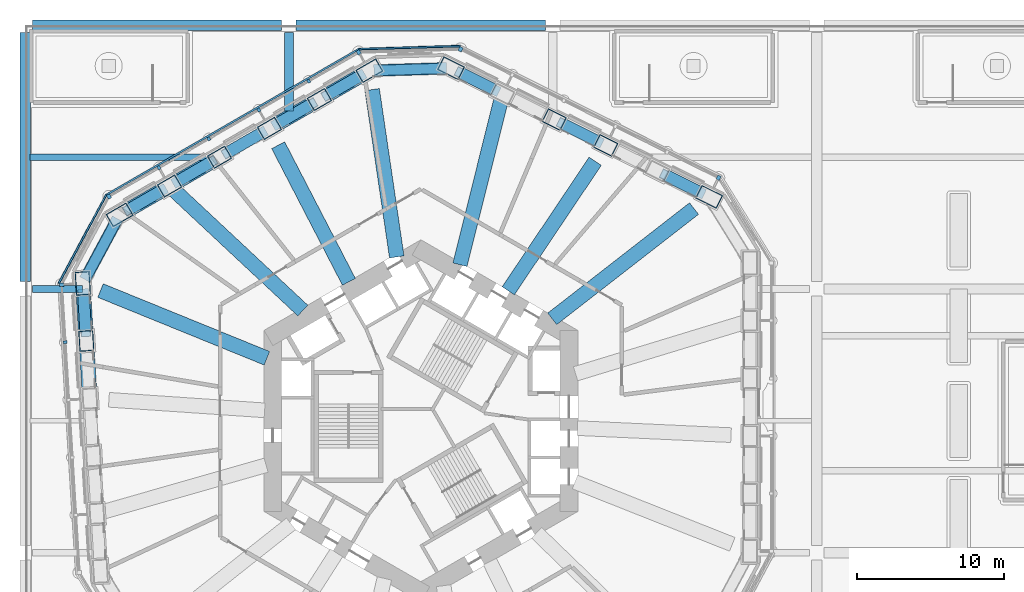
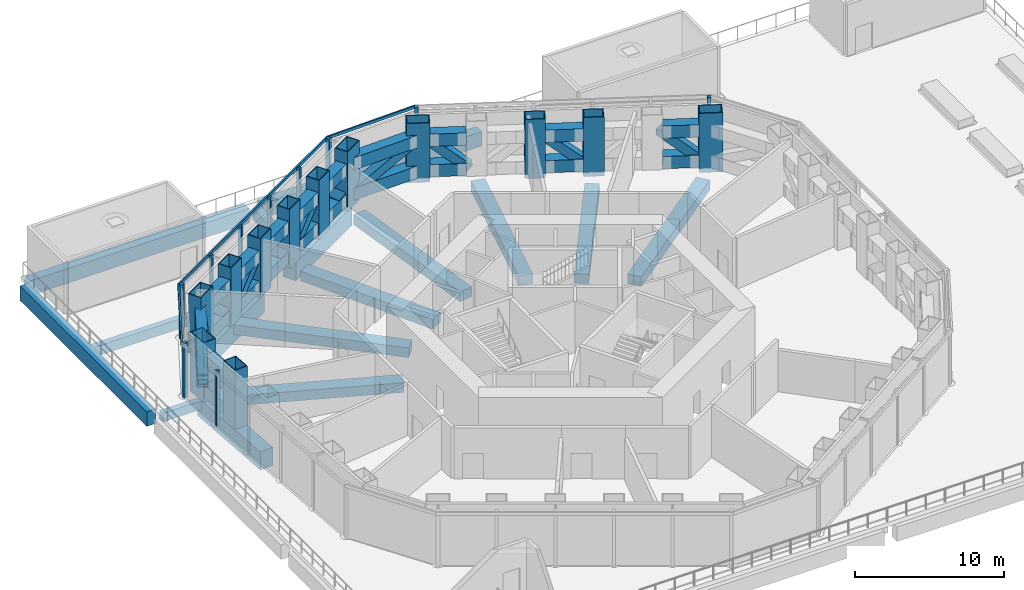
# One storey, part 3 of 20: 58 members, 16 beams, 5 elements without a shape of their own.
"""IFC4 building model written with IfcOpenShell, lengths in metres."""

from ifc_helpers import new_model, si_unit, direction, frame, origin, origin_2d, place, context, subcontext, project, spatial, rectangle, hollow_rectangle, extrude, material, material_profile, profile_set, type_object, element, aggregate, save


model = new_model("IFC4")

# Units and contexts
model_context = context("Model", 3, precision=1e-05, world=origin(), true_north=direction((0.0, 1.0)))
body_context = subcontext(model_context, "Body", "Model", "MODEL_VIEW")
ifc_project = project(units=[si_unit("LENGTHUNIT", "METRE"), si_unit("AREAUNIT", "SQUARE_METRE"), si_unit("VOLUMEUNIT", "CUBIC_METRE"), si_unit("PLANEANGLEUNIT", "RADIAN"), si_unit("MASSUNIT", "GRAM", prefix="KILO")], contexts=[model_context])

# Site, building, storey
site_placement = place(None, origin())
site = spatial("IfcSite", under=ifc_project, at=site_placement, CompositionType="ELEMENT")
building_placement = place(site_placement, origin())
building = spatial("IfcBuilding", under=site, at=building_placement, Name="Vanh Sen Convention Tower", CompositionType="ELEMENT")
storey_placement = place(building_placement, frame((0.0, 0.0, 34.5)))
storey = spatial("IfcBuildingStorey", under=building, at=storey_placement, Name="L05", CompositionType="ELEMENT", Elevation=34.5)

# Curtain wall, members
ifc_material_1 = material(Name="Concrete C50/60", Category="concrete")
curtain_wall_type = type_object("IfcCurtainWallType", Name="Outer skin hotel zone", PredefinedType="NOTDEFINED", material=ifc_material_1)
curtain_wall_1_placement = place(storey_placement, origin())
curtain_wall_1 = element("IfcCurtainWall", 1, at=curtain_wall_1_placement, inside=storey, type_object=curtain_wall_type, Name="OUTER SKIN NE L05", PredefinedType="NOTDEFINED")
ifc_material_profile_1 = material_profile(ifc_material_1, rectangle(XDim=0.25, YDim=0.300048828125, at=origin_2d()), Name="Outer skin precast corner fin 250 x 300")
ifc_profile_set_1 = profile_set([ifc_material_profile_1], Name="Concrete C50/60")
member_type_1 = type_object("IfcMemberType", Name="Outer skin precast corner fin 250 x 300", PredefinedType="MULLION", material=ifc_profile_set_1)
member_1_placement = place(storey_placement, frame((20.305908203125, 16.581787109375, 0.0), z_axis=(0.0, 0.0, 1.0), x_axis=(-0.894934361602, 0.44619781311, 0.0)))
member_1 = element("IfcMember", 2, at=member_1_placement, type_object=member_type_1, Name="OUTER SKIN CORNER FIN 1 NE L05", PredefinedType="MULLION", context=body_context, shape_type="SweptSolid", body=[
    extrude(rectangle(XDim=0.25, YDim=0.300048828125, at=origin_2d()), origin(), (0.0, 0.0, 1.0), 4.5),
])
member_2_placement = place(storey_placement, frame((2.699951171875, 25.35986328125, 0.0), z_axis=(0.0, 0.0, 1.0), x_axis=(-0.894934361602, 0.44619781311, 0.0)))
member_2 = element("IfcMember", 3, at=member_2_placement, type_object=member_type_1, Name="OUTER SKIN CORNER FIN 6 NE L05", PredefinedType="MULLION", context=body_context, shape_type="SweptSolid", body=[
    extrude(rectangle(XDim=0.25, YDim=0.300048828125, at=origin_2d()), origin(), (0.0, 0.0, 1.0), 4.5),
])
aggregate(curtain_wall_1, [member_1, member_2])

curtain_wall_2_placement = place(storey_placement, origin())
curtain_wall_2 = element("IfcCurtainWall", 4, at=curtain_wall_2_placement, inside=storey, type_object=curtain_wall_type, Name="OUTER SKIN NW L05", PredefinedType="NOTDEFINED")
member_3_placement = place(storey_placement, frame((-4.242919921875, 25.147705078125, 0.0), z_axis=(0.0, 0.0, 1.0), x_axis=(-0.866025403784, -0.5, 0.0)))
member_3 = element("IfcMember", 5, at=member_3_placement, type_object=member_type_1, Name="OUTER SKIN CORNER FIN 1 NW L05", PredefinedType="MULLION", context=body_context, shape_type="SweptSolid", body=[
    extrude(rectangle(XDim=0.25, YDim=0.300048828125, at=origin_2d()), origin(), (0.0, 0.0, 1.0), 4.5),
])
member_4_placement = place(storey_placement, frame((-21.2802734375, 15.31103515625, 0.0), z_axis=(0.0, 0.0, 1.0), x_axis=(-0.866025403784, -0.5, 0.0)))
member_4 = element("IfcMember", 6, at=member_4_placement, type_object=member_type_1, Name="OUTER SKIN CORNER FIN 6 NW L05", PredefinedType="MULLION", context=body_context, shape_type="SweptSolid", body=[
    extrude(rectangle(XDim=0.25, YDim=0.300048828125, at=origin_2d()), origin(), (0.0, 0.0, 1.0), 4.5),
])

# Curtain wall, member
curtain_wall_3_placement = place(storey_placement, origin())
curtain_wall_3 = element("IfcCurtainWall", 7, at=curtain_wall_3_placement, inside=storey, type_object=curtain_wall_type, Name="OUTER SKIN W L05", PredefinedType="NOTDEFINED")
member_5_placement = place(storey_placement, frame((-24.51318359375, 9.294677734375, 0.0), z_axis=(0.0, 0.0, 1.0), x_axis=(0.061048539535, -0.998134798422, 0.0)))
member_5 = element("IfcMember", 8, at=member_5_placement, type_object=member_type_1, Name="OUTER SKIN CORNER FIN 1 W L05", PredefinedType="MULLION", context=body_context, shape_type="SweptSolid", body=[
    extrude(rectangle(XDim=0.25, YDim=0.300048828125, at=origin_2d()), origin(), (0.0, 0.0, 1.0), 4.5),
])

# Member
ifc_material_profile_2 = material_profile(ifc_material_1, rectangle(XDim=0.199951171875, YDim=0.25, at=origin_2d()), Name="Outer skin precast fin 200 x 250")
ifc_profile_set_2 = profile_set([ifc_material_profile_2], Name="Concrete C50/60")
member_type_2 = type_object("IfcMemberType", Name="Outer skin precast fin 200 x 250", PredefinedType="MULLION", material=ifc_profile_set_2)
member_6_placement = place(storey_placement, frame((-7.650390625, 23.180419921875, 0.0), z_axis=(0.0, 0.0, 1.0), x_axis=(-0.866025403784, -0.5, 0.0)))
member_6 = element("IfcMember", 9, at=member_6_placement, type_object=member_type_2, Name="OUTER SKIN fin 2 NW L05", PredefinedType="MULLION", context=body_context, shape_type="SweptSolid", body=[
    extrude(rectangle(XDim=0.199951171875, YDim=0.25, at=origin_2d()), origin(), (0.0, 0.0, 1.0), 4.5),
])

member_7_placement = place(storey_placement, frame((-11.057861328125, 21.212890625, 0.0), z_axis=(0.0, 0.0, 1.0), x_axis=(-0.866025403784, -0.5, 0.0)))
member_7 = element("IfcMember", 10, at=member_7_placement, type_object=member_type_2, Name="OUTER SKIN fin 3 NW L05", PredefinedType="MULLION", context=body_context, shape_type="SweptSolid", body=[
    extrude(rectangle(XDim=0.199951171875, YDim=0.25, at=origin_2d()), origin(), (0.0, 0.0, 1.0), 4.5),
])

member_8_placement = place(storey_placement, frame((-14.46533203125, 19.24560546875, 0.0), z_axis=(0.0, 0.0, 1.0), x_axis=(-0.866025403784, -0.5, 0.0)))
member_8 = element("IfcMember", 11, at=member_8_placement, type_object=member_type_2, Name="OUTER SKIN fin 4 NW L05", PredefinedType="MULLION", context=body_context, shape_type="SweptSolid", body=[
    extrude(rectangle(XDim=0.199951171875, YDim=0.25, at=origin_2d()), origin(), (0.0, 0.0, 1.0), 4.5),
])

member_9_placement = place(storey_placement, frame((-17.872802734375, 17.2783203125, 0.0), z_axis=(0.0, 0.0, 1.0), x_axis=(-0.866025403784, -0.5, 0.0)))
member_9 = element("IfcMember", 12, at=member_9_placement, type_object=member_type_2, Name="OUTER SKIN fin 5 NW L05", PredefinedType="MULLION", context=body_context, shape_type="SweptSolid", body=[
    extrude(rectangle(XDim=0.199951171875, YDim=0.25, at=origin_2d()), origin(), (0.0, 0.0, 1.0), 4.5),
])

member_10_placement = place(storey_placement, frame((-24.27294921875, 5.3671875, 0.0), z_axis=(0.0, 0.0, 1.0), x_axis=(0.061048539535, -0.998134798422, 0.0)))
member_10 = element("IfcMember", 13, at=member_10_placement, type_object=member_type_2, Name="OUTER SKIN fin 2 W L05", PredefinedType="MULLION", context=body_context, shape_type="SweptSolid", body=[
    extrude(rectangle(XDim=0.199951171875, YDim=0.25, at=origin_2d()), origin(), (0.0, 0.0, 1.0), 4.5),
])

aggregate(curtain_wall_3, [member_5, member_10])

# Curtain wall, member
curtain_wall_4_placement = place(storey_placement, origin())
curtain_wall_4 = element("IfcCurtainWall", 14, at=curtain_wall_4_placement, inside=storey, type_object=curtain_wall_type, Name="OUTER SKIN CH2 L05", PredefinedType="NOTDEFINED")
ifc_material_profile_3 = material_profile(ifc_material_1, rectangle(XDim=0.1201171875, YDim=0.25, at=origin_2d()), Name="Outer skin precast spandrel band 250 x 120")
ifc_profile_set_3 = profile_set([ifc_material_profile_3], Name="Concrete C50/60")
member_type_3 = type_object("IfcMemberType", Name="Outer skin precast spandrel band 250 x 120", PredefinedType="USERDEFINED", material=ifc_profile_set_3)
member_11_placement = place(storey_placement, frame((2.693603515625, 25.569580078125, 4.375), z_axis=(-0.999533472857, -0.030542374483, 0.0), x_axis=(0.030542374483, -0.999533472857, 0.0)))
member_11 = element("IfcMember", 15, at=member_11_placement, type_object=member_type_3, Name="OUTER SKIN spandrel band CH2 L05", ObjectType="TRANSOM", PredefinedType="USERDEFINED", context=body_context, shape_type="SweptSolid", body=[
    extrude(rectangle(XDim=0.1201171875, YDim=0.25, at=origin_2d()), origin(), (0.0, 0.0, 1.0), 6.9462890625),
])
aggregate(curtain_wall_4, [member_11])

# Member
member_12_placement = place(storey_placement, frame((-4.227294921875, 25.370361328125, 4.375), z_axis=(-0.866028047459, -0.499995420993, 0.0), x_axis=(0.499995420993, -0.866028047459, 0.0)))
member_12 = element("IfcMember", 16, at=member_12_placement, type_object=member_type_3, Name="OUTER SKIN spandrel band NW L05", ObjectType="TRANSOM", PredefinedType="USERDEFINED", context=body_context, shape_type="SweptSolid", body=[
    extrude(rectangle(XDim=0.1201171875, YDim=0.25, at=origin_2d()), origin(), (0.0, 0.0, 1.0), 19.923095703125),
])

aggregate(curtain_wall_2, [member_3, member_6, member_7, member_8, member_9, member_4, member_12])

# Curtain wall, member
curtain_wall_5_placement = place(storey_placement, origin())
curtain_wall_5 = element("IfcCurtainWall", 17, at=curtain_wall_5_placement, inside=storey, type_object=curtain_wall_type, Name="OUTER SKIN CH3 L05", PredefinedType="NOTDEFINED")
member_13_placement = place(storey_placement, frame((-21.46533203125, 15.410400390625, 4.375), z_axis=(-0.473315186561, -0.880893145717, 0.0), x_axis=(0.880893145717, -0.473315186561, 0.0)))
member_13 = element("IfcMember", 18, at=member_13_placement, type_object=member_type_3, Name="OUTER SKIN spandrel band CH3 L05", ObjectType="TRANSOM", PredefinedType="USERDEFINED", context=body_context, shape_type="SweptSolid", body=[
    extrude(rectangle(XDim=0.1201171875, YDim=0.25, at=origin_2d()), origin(), (0.0, 0.0, 1.0), 6.829833984375),
])
aggregate(curtain_wall_5, [member_13])

# Beams
ifc_material_2 = material(Name="Concrete C50/60", Category="concrete")
ifc_material_profile_4 = material_profile(ifc_material_2, rectangle(XDim=0.449951171875, YDim=0.699951171875, at=origin_2d()), Name="RC 450X700")
ifc_profile_set_4 = profile_set([ifc_material_profile_4], Name="Concrete C50/60")
beam_type_1 = type_object("IfcBeamType", Name="Podium girder 450 x 700", PredefinedType="BEAM", material=ifc_profile_set_4)
beam_1_placement = place(storey_placement, frame((-26.5048828125, 9.0, -0.699951171875), z_axis=(1.0, 0.0, 0.0), x_axis=(0.0, 1.0, 0.0)))
element("IfcBeam", 19, at=beam_1_placement, inside=storey, type_object=beam_type_1, Name="Podium girder 21 L05", PredefinedType="BEAM", context=body_context, shape_type="SweptSolid", body=[
    extrude(rectangle(XDim=0.449951171875, YDim=0.699951171875, at=origin_2d()), origin(), (0.0, 0.0, 1.0), 3.416748046875),
])
ifc_material_profile_5 = material_profile(ifc_material_2, rectangle(XDim=0.60009765625, YDim=0.89990234375, at=origin_2d()), Name="RC 600X900")
ifc_profile_set_5 = profile_set([ifc_material_profile_5], Name="Concrete C50/60")
beam_type_2 = type_object("IfcBeamType", Name="Podium girder 600 x 900", PredefinedType="BEAM", material=ifc_profile_set_5)
beam_2_placement = place(storey_placement, frame((-9.0, 21.1259765625, -0.800048828125), z_axis=(0.0, 1.0, 0.0), x_axis=(-1.0, 0.0, 0.0)))
element("IfcBeam", 20, at=beam_2_placement, inside=storey, type_object=beam_type_2, Name="Podium girder 05 L05", PredefinedType="BEAM", context=body_context, shape_type="SweptSolid", body=[
    extrude(rectangle(XDim=0.60009765625, YDim=0.89990234375, at=origin_2d()), origin(), (0.0, 0.0, 1.0), 5.37890625),
])
ifc_material_profile_6 = material_profile(ifc_material_2, rectangle(XDim=0.699951171875, YDim=1.199951171875, at=origin_2d()), Name="RC 700X1200")
ifc_profile_set_6 = profile_set([ifc_material_profile_6], Name="Concrete C50/60")
beam_type_3 = type_object("IfcBeamType", Name="Podium girder 700 x 1200", PredefinedType="BEAM", material=ifc_profile_set_6)
for number, where, z_axis, x_axis, name in (
    (21, (-27.0, 9.4951171875, -0.949951171875), (0.0, 1.0, 0.0), (-1.0, 0.0, 0.0), "Podium girder 03 L05"),
    (22, (-26.5048828125, 27.0, -0.949951171875), (1.0, 0.0, 0.0), (0.0, 1.0, 0.0), "Podium girder 24 L05"),
    (23, (-8.5048828125, 27.0, -0.949951171875), (1.0, 0.0, 0.0), (0.0, 1.0, 0.0), "Podium girder 25 L05"),
):
    element("IfcBeam", number, at=place(storey_placement, frame(where, z_axis=z_axis, x_axis=x_axis)), inside=storey, type_object=beam_type_3, Name=name, PredefinedType="BEAM", context=body_context, shape_type="SweptSolid", body=[
        extrude(rectangle(XDim=0.699951171875, YDim=1.199951171875, at=origin_2d()), origin(), (0.0, 0.0, 1.0), 17.009765625),
    ])
ifc_material_profile_7 = material_profile(ifc_material_2, rectangle(XDim=1.0, YDim=1.5, at=origin_2d()), Name="RC 1000X1500")
ifc_profile_set_7 = profile_set([ifc_material_profile_7], Name="Concrete C50/60")
beam_type_4 = type_object("IfcBeamType", Name="Podium ring girder 1000 x 1500", PredefinedType="BEAM", material=ifc_profile_set_7)
beam_3_placement = place(storey_placement, frame((-3.723388671875, 23.7734375, -1.10009765625), z_axis=(-0.866012220445, -0.500022833518, 0.0), x_axis=(0.500022833518, -0.866012220445, 0.0)))
element("IfcBeam", 24, at=beam_3_placement, inside=storey, type_object=beam_type_4, Name="Ring girder 04 L05", PredefinedType="BEAM", context=body_context, shape_type="SweptSolid", body=[
    extrude(rectangle(XDim=1.0, YDim=1.5, at=origin_2d()), origin(), (0.0, 0.0, 1.0), 7.504638671875),
])
for number, where, z_axis, x_axis, name in (
    (25, (-13.85107421875, 17.926025390625, -1.10009765625), (-0.866026077102, -0.499998833779, 0.0), (0.499998833779, -0.866026077102, 0.0), "Ring girder 05 L05"),
    (26, (-23.06005859375, 9.288330078125, -1.10009765625), (0.061046445508, -0.998134926496, 0.0), (0.998134926496, 0.061046445508, 0.0), "Ring girder 06 L05"),
):
    element("IfcBeam", number, at=place(storey_placement, frame(where, z_axis=z_axis, x_axis=x_axis)), inside=storey, type_object=beam_type_4, Name=name, PredefinedType="BEAM", context=body_context, shape_type="SweptSolid", body=[
        extrude(rectangle(XDim=1.0, YDim=1.5, at=origin_2d()), origin(), (0.0, 0.0, 1.0), 7.646484375),
    ])
ifc_material_profile_8 = material_profile(ifc_material_2, rectangle(XDim=0.449951171875, YDim=0.800048828125, at=origin_2d()), Name="RC 450X800")
ifc_profile_set_8 = profile_set([ifc_material_profile_8], Name="Concrete C50/60")
beam_type_5 = type_object("IfcBeamType", Name="Podium secondary beam 450 x 800", PredefinedType="BEAM", material=ifc_profile_set_8)
beam_4_placement = place(storey_placement, frame((-26.655029296875, 18.0, -0.75), z_axis=(1.0, 0.0, 0.0), x_axis=(0.0, 1.0, 0.0)))
element("IfcBeam", 27, at=beam_4_placement, inside=storey, type_object=beam_type_5, Name="Podium secondary beam 08 L05", PredefinedType="BEAM", context=body_context, shape_type="SweptSolid", body=[
    extrude(rectangle(XDim=0.449951171875, YDim=0.800048828125, at=origin_2d()), origin(), (0.0, 0.0, 1.0), 12.760498046875),
])
ifc_material_profile_9 = material_profile(ifc_material_2, rectangle(XDim=1.0, YDim=0.800048828125, at=origin_2d()), Name="RC 1000X800")
ifc_profile_set_9 = profile_set([ifc_material_profile_9], Name="Concrete C50/60")
beam_type_6 = type_object("IfcBeamType", Name="Radial floor beam 1000 x 800", PredefinedType="BEAM", material=ifc_profile_set_9)
beam_5_placement = place(storey_placement, frame((18.630615234375, 14.484619140625, -0.75), z_axis=(-0.789469121042, -0.613790279265, 0.0), x_axis=(0.613790279265, -0.789469121042, 0.0)))
element("IfcBeam", 28, at=beam_5_placement, inside=storey, type_object=beam_type_6, Name="Radial beam 04 L05", PredefinedType="BEAM", context=body_context, shape_type="SweptSolid", body=[
    extrude(rectangle(XDim=1.0, YDim=0.800048828125, at=origin_2d()), origin(), (0.0, 0.0, 1.0), 12.255859375),
])
beam_6_placement = place(storey_placement, frame((11.888671875, 17.7109375, -0.75), z_axis=(-0.557333016414, -0.830289051364, 0.0), x_axis=(0.830289051364, -0.557333016414, 0.0)))
element("IfcBeam", 29, at=beam_6_placement, inside=storey, type_object=beam_type_6, Name="Radial beam 05 L05", PredefinedType="BEAM", context=body_context, shape_type="SweptSolid", body=[
    extrude(rectangle(XDim=1.0, YDim=0.800048828125, at=origin_2d()), origin(), (0.0, 0.0, 1.0), 10.6455078125),
])
beam_7_placement = place(storey_placement, frame((5.47802734375, 21.921875, -0.75), z_axis=(-0.242426812684, -0.97016969675, 0.0), x_axis=(0.97016969675, -0.242426812684, 0.0)))
element("IfcBeam", 30, at=beam_7_placement, inside=storey, type_object=beam_type_6, Name="Radial beam 06 L05", PredefinedType="BEAM", context=body_context, shape_type="SweptSolid", body=[
    extrude(rectangle(XDim=1.0, YDim=0.800048828125, at=origin_2d()), origin(), (0.0, 0.0, 1.0), 11.614501953125),
])
beam_8_placement = place(storey_placement, frame((-3.328125, 22.60205078125, -0.75), z_axis=(0.145673679863, -0.989332693787, 0.0), x_axis=(0.989332693787, 0.145673679863, 0.0)))
element("IfcBeam", 31, at=beam_8_placement, inside=storey, type_object=beam_type_6, Name="Radial beam 07 L05", PredefinedType="BEAM", context=body_context, shape_type="SweptSolid", body=[
    extrude(rectangle(XDim=1.0, YDim=0.800048828125, at=origin_2d()), origin(), (0.0, 0.0, 1.0), 11.538818359375),
])
beam_9_placement = place(storey_placement, frame((-9.73681640625, 18.80615234375, -0.75), z_axis=(0.459760226255, -0.888043092622, 0.0), x_axis=(0.888043092622, 0.459760226255, 0.0)))
element("IfcBeam", 32, at=beam_9_placement, inside=storey, type_object=beam_type_6, Name="Radial beam 08 L05", PredefinedType="BEAM", context=body_context, shape_type="SweptSolid", body=[
    extrude(rectangle(XDim=1.0, YDim=0.800048828125, at=origin_2d()), origin(), (0.0, 0.0, 1.0), 10.493896484375),
])
beam_10_placement = place(storey_placement, frame((-16.880859375, 15.773193359375, -0.75), z_axis=(0.730669888391, -0.682730923717, 0.0), x_axis=(0.682730923717, 0.730669888391, 0.0)))
element("IfcBeam", 33, at=beam_10_placement, inside=storey, type_object=beam_type_6, Name="Radial beam 09 L05", PredefinedType="BEAM", context=body_context, shape_type="SweptSolid", body=[
    extrude(rectangle(XDim=1.0, YDim=0.800048828125, at=origin_2d()), origin(), (0.0, 0.0, 1.0), 12.074951171875),
])
beam_11_placement = place(storey_placement, frame((-21.859375, 8.892333984375, -0.75), z_axis=(0.926287387337, -0.376817828746, 0.0), x_axis=(0.376817828746, 0.926287387337, 0.0)))
element("IfcBeam", 34, at=beam_11_placement, inside=storey, type_object=beam_type_6, Name="Radial beam 10 L05", PredefinedType="BEAM", context=body_context, shape_type="SweptSolid", body=[
    extrude(rectangle(XDim=1.0, YDim=0.800048828125, at=origin_2d()), origin(), (0.0, 0.0, 1.0), 12.255615234375),
])

# Members
ifc_material_3 = material(Name="Steel S460", Category="steel")
ifc_material_profile_10 = material_profile(ifc_material_3, hollow_rectangle(XDim=0.800048828125, YDim=1.0, WallThickness=0.06005859375, at=origin_2d()), Name="BOX 1000X800X60")
ifc_profile_set_10 = profile_set([ifc_material_profile_10], Name="Steel S460")
member_type_4 = type_object("IfcMemberType", Name="Transfer truss chord BOX 1000X800X60", PredefinedType="CHORD", material=ifc_profile_set_10)
for number, where, z_axis, x_axis, name in (
    (35, (18.947509765625, 15.638916015625, 0.5), (-0.894965857164, 0.4461346372, 0.0), (-0.4461346372, -0.894965857164, 0.0), "TRANSFER TRUSS chord bottom 07"),
    (36, (18.947509765625, 15.638916015625, 3.0), (-0.894965857164, 0.4461346372, 0.0), (-0.4461346372, -0.894965857164, 0.0), "TRANSFER TRUSS chord top 07"),
):
    element("IfcMember", number, at=place(storey_placement, frame(where, z_axis=z_axis, x_axis=x_axis)), inside=storey, type_object=member_type_4, Name=name, PredefinedType="CHORD", context=body_context, shape_type="SweptSolid", body=[
        extrude(hollow_rectangle(XDim=0.800048828125, YDim=1.0, WallThickness=0.06005859375, at=origin_2d()), origin(), (0.0, 0.0, 1.0), 2.444580078125),
    ])
for number, where, z_axis, x_axis, name in (
    (37, (11.994384765625, 19.10546875, 0.5), (-0.89494473173, 0.446177013246, 0.0), (-0.446177013246, -0.89494473173, 0.0), "TRANSFER TRUSS chord bottom 09"),
    (38, (11.994384765625, 19.10546875, 3.0), (-0.89494473173, 0.446177013246, 0.0), (-0.446177013246, -0.89494473173, 0.0), "TRANSFER TRUSS chord top 09"),
):
    element("IfcMember", number, at=place(storey_placement, frame(where, z_axis=z_axis, x_axis=x_axis)), inside=storey, type_object=member_type_4, Name=name, PredefinedType="CHORD", context=body_context, shape_type="SweptSolid", body=[
        extrude(hollow_rectangle(XDim=0.800048828125, YDim=1.0, WallThickness=0.06005859375, at=origin_2d()), origin(), (0.0, 0.0, 1.0), 2.54443359375),
    ])
for number, where, z_axis, x_axis, name in (
    (39, (4.9521484375, 22.61669921875, 0.5), (-0.894925978374, 0.446214626869, 0.0), (-0.446214626869, -0.894925978374, 0.0), "TRANSFER TRUSS chord bottom 11"),
    (40, (4.9521484375, 22.61669921875, 3.0), (-0.894925978374, 0.446214626869, 0.0), (-0.446214626869, -0.894925978374, 0.0), "TRANSFER TRUSS chord top 11"),
):
    element("IfcMember", number, at=place(storey_placement, frame(where, z_axis=z_axis, x_axis=x_axis)), inside=storey, type_object=member_type_4, Name=name, PredefinedType="CHORD", context=body_context, shape_type="SweptSolid", body=[
        extrude(hollow_rectangle(XDim=0.800048828125, YDim=1.0, WallThickness=0.06005859375, at=origin_2d()), origin(), (0.0, 0.0, 1.0), 2.444580078125),
    ])
for number, where, z_axis, x_axis, name in (
    (41, (1.74609375, 24.052734375, 0.5), (-0.999534152423, -0.030520126792, 0.0), (0.030520126792, -0.999534152423, 0.0), "TRANSFER TRUSS chord bottom 12"),
    (42, (1.74609375, 24.052734375, 3.0), (-0.999534152423, -0.030520126792, 0.0), (0.030520126792, -0.999534152423, 0.0), "TRANSFER TRUSS chord top 12"),
):
    element("IfcMember", number, at=place(storey_placement, frame(where, z_axis=z_axis, x_axis=x_axis)), inside=storey, type_object=member_type_4, Name=name, PredefinedType="CHORD", context=body_context, shape_type="SweptSolid", body=[
        extrude(hollow_rectangle(XDim=0.800048828125, YDim=1.0, WallThickness=0.06005859375, at=origin_2d()), origin(), (0.0, 0.0, 1.0), 4.95947265625),
    ])
for number, where, z_axis, x_axis, name in (
    (43, (-4.20654296875, 23.494384765625, 0.5), (-0.866034234215, -0.499984704934, 0.0), (0.499984704934, -0.866034234215, 0.0), "TRANSFER TRUSS chord bottom 13"),
    (44, (-4.20654296875, 23.494384765625, 3.0), (-0.866034234215, -0.499984704934, 0.0), (0.499984704934, -0.866034234215, 0.0), "TRANSFER TRUSS chord top 13"),
):
    element("IfcMember", number, at=place(storey_placement, frame(where, z_axis=z_axis, x_axis=x_axis)), inside=storey, type_object=member_type_4, Name=name, PredefinedType="CHORD", context=body_context, shape_type="SweptSolid", body=[
        extrude(hollow_rectangle(XDim=0.800048828125, YDim=1.0, WallThickness=0.06005859375, at=origin_2d()), origin(), (0.0, 0.0, 1.0), 2.4443359375),
    ])
for number, where, z_axis, x_axis, name in (
    (45, (-7.52734375, 21.5771484375, 0.5), (-0.865990650555, -0.500060189529, 0.0), (0.500060189529, -0.865990650555, 0.0), "TRANSFER TRUSS chord bottom 14"),
    (46, (-7.52734375, 21.5771484375, 3.0), (-0.865990650555, -0.500060189529, 0.0), (0.500060189529, -0.865990650555, 0.0), "TRANSFER TRUSS chord top 14"),
    (47, (-10.934814453125, 19.60986328125, 0.5), (-0.865990650555, -0.500060189529, 0.0), (0.500060189529, -0.865990650555, 0.0), "TRANSFER TRUSS chord bottom 15"),
    (48, (-10.934814453125, 19.60986328125, 3.0), (-0.865990650555, -0.500060189529, 0.0), (0.500060189529, -0.865990650555, 0.0), "TRANSFER TRUSS chord top 15"),
    (49, (-14.34228515625, 17.642578125, 0.5), (-0.865990650555, -0.500060189529, 0.0), (0.500060189529, -0.865990650555, 0.0), "TRANSFER TRUSS chord bottom 16"),
    (50, (-14.34228515625, 17.642578125, 3.0), (-0.865990650555, -0.500060189529, 0.0), (0.500060189529, -0.865990650555, 0.0), "TRANSFER TRUSS chord top 16"),
):
    element("IfcMember", number, at=place(storey_placement, frame(where, z_axis=z_axis, x_axis=x_axis)), inside=storey, type_object=member_type_4, Name=name, PredefinedType="CHORD", context=body_context, shape_type="SweptSolid", body=[
        extrude(hollow_rectangle(XDim=0.800048828125, YDim=1.0, WallThickness=0.06005859375, at=origin_2d()), origin(), (0.0, 0.0, 1.0), 2.544677734375),
    ])
for number, where, z_axis, x_axis, name in (
    (51, (-17.749755859375, 15.67529296875, 0.5), (-0.865990985969, -0.500059608667, 0.0), (0.500059608667, -0.865990985969, 0.0), "TRANSFER TRUSS chord bottom 17"),
    (52, (-17.749755859375, 15.67529296875, 3.0), (-0.865990985969, -0.500059608667, 0.0), (0.500059608667, -0.865990985969, 0.0), "TRANSFER TRUSS chord top 17"),
):
    element("IfcMember", number, at=place(storey_placement, frame(where, z_axis=z_axis, x_axis=x_axis)), inside=storey, type_object=member_type_4, Name=name, PredefinedType="CHORD", context=body_context, shape_type="SweptSolid", body=[
        extrude(hollow_rectangle(XDim=0.800048828125, YDim=1.0, WallThickness=0.06005859375, at=origin_2d()), origin(), (0.0, 0.0, 1.0), 2.444580078125),
    ])
for number, where, z_axis, x_axis, name in (
    (53, (-20.69677734375, 13.792236328125, 0.5), (-0.473289166196, -0.880907126297, 0.0), (0.880907126297, -0.473289166196, 0.0), "TRANSFER TRUSS chord bottom 18"),
    (54, (-20.69677734375, 13.792236328125, 3.0), (-0.473289166196, -0.880907126297, 0.0), (0.880907126297, -0.473289166196, 0.0), "TRANSFER TRUSS chord top 18"),
):
    element("IfcMember", number, at=place(storey_placement, frame(where, z_axis=z_axis, x_axis=x_axis)), inside=storey, type_object=member_type_4, Name=name, PredefinedType="CHORD", context=body_context, shape_type="SweptSolid", body=[
        extrude(hollow_rectangle(XDim=0.800048828125, YDim=1.0, WallThickness=0.06005859375, at=origin_2d()), origin(), (0.0, 0.0, 1.0), 4.70654296875),
    ])
for number, where, z_axis, x_axis, name in (
    (55, (-23.017333984375, 8.589599609375, 0.5), (0.061116154507, -0.998130660614, 0.0), (0.998130660614, 0.061116154507, 0.0), "TRANSFER TRUSS chord bottom 19"),
    (56, (-23.017333984375, 8.589599609375, 3.0), (0.061116154507, -0.998130660614, 0.0), (0.998130660614, 0.061116154507, 0.0), "TRANSFER TRUSS chord top 19"),
):
    element("IfcMember", number, at=place(storey_placement, frame(where, z_axis=z_axis, x_axis=x_axis)), inside=storey, type_object=member_type_4, Name=name, PredefinedType="CHORD", context=body_context, shape_type="SweptSolid", body=[
        extrude(hollow_rectangle(XDim=0.800048828125, YDim=1.0, WallThickness=0.06005859375, at=origin_2d()), origin(), (0.0, 0.0, 1.0), 2.44482421875),
    ])
ifc_material_4 = material(Name="Steel S355", Category="steel")
ifc_material_profile_11 = material_profile(ifc_material_4, hollow_rectangle(XDim=0.699951171875, YDim=0.699951171875, WallThickness=0.050048828125, at=origin_2d()), Name="BOX 700X700X50")
ifc_profile_set_11 = profile_set([ifc_material_profile_11], Name="Steel S355")
member_type_5 = type_object("IfcMemberType", Name="Transfer truss diagonal BOX 700X700X50", PredefinedType="BRACE", material=ifc_profile_set_11)
member_14_placement = place(storey_placement, frame((19.115478515625, 15.55517578125, 0.5), z_axis=(-0.669676062274, 0.333833873358, 0.663391978106), x_axis=(-0.446139698293, -0.894963334225, 0.0)))
element("IfcMember", 57, at=member_14_placement, inside=storey, type_object=member_type_5, Name="TRANSFER TRUSS diagonal 07", PredefinedType="BRACE", context=body_context, shape_type="SweptSolid", body=[
    extrude(hollow_rectangle(XDim=0.699951171875, YDim=0.699951171875, WallThickness=0.050048828125, at=origin_2d()), origin(), (0.0, 0.0, 1.0), 3.7685546875),
])
member_15_placement = place(storey_placement, frame((12.16259765625, 19.021728515625, 0.5), z_axis=(-0.679833377766, 0.338900495493, 0.650363769462), x_axis=(-0.446143067109, -0.89496165486, 0.0)))
element("IfcMember", 58, at=member_15_placement, inside=storey, type_object=member_type_5, Name="TRANSFER TRUSS diagonal 09", PredefinedType="BRACE", context=body_context, shape_type="SweptSolid", body=[
    extrude(hollow_rectangle(XDim=0.699951171875, YDim=0.699951171875, WallThickness=0.050048828125, at=origin_2d()), origin(), (0.0, 0.0, 1.0), 3.843994140625),
])
member_16_placement = place(storey_placement, frame((5.1201171875, 22.532958984375, 0.5), z_axis=(-0.669711790731, 0.333819390369, 0.663363197629), x_axis=(-0.446105131637, -0.894980564888, 0.0)))
element("IfcMember", 59, at=member_16_placement, inside=storey, type_object=member_type_5, Name="TRANSFER TRUSS diagonal 11", PredefinedType="BRACE", context=body_context, shape_type="SweptSolid", body=[
    extrude(hollow_rectangle(XDim=0.699951171875, YDim=0.699951171875, WallThickness=0.050048828125, at=origin_2d()), origin(), (0.0, 0.0, 1.0), 3.7685546875),
])
member_17_placement = place(storey_placement, frame((1.79638671875, 24.05419921875, 3.0), z_axis=(-0.896132770334, -0.027380993562, -0.442940559358), x_axis=(0.0305403643, -0.999533534279, 0.0)))
element("IfcMember", 60, at=member_17_placement, inside=storey, type_object=member_type_5, Name="TRANSFER TRUSS diagonal 12", PredefinedType="BRACE", context=body_context, shape_type="SweptSolid", body=[
    extrude(hollow_rectangle(XDim=0.699951171875, YDim=0.699951171875, WallThickness=0.050048828125, at=origin_2d()), origin(), (0.0, 0.0, 1.0), 5.64404296875),
])
member_18_placement = place(storey_placement, frame((-4.0439453125, 23.58837890625, 0.5), z_axis=(-0.648017402535, -0.374182596925, 0.663370808953), x_axis=(0.500049687543, -0.865996714767, 0.0)))
element("IfcMember", 61, at=member_18_placement, inside=storey, type_object=member_type_5, Name="TRANSFER TRUSS diagonal 13", PredefinedType="BRACE", context=body_context, shape_type="SweptSolid", body=[
    extrude(hollow_rectangle(XDim=0.699951171875, YDim=0.699951171875, WallThickness=0.050048828125, at=origin_2d()), origin(), (0.0, 0.0, 1.0), 3.7685546875),
])
for number, where, z_axis, x_axis, name in (
    (62, (-7.36474609375, 21.6708984375, 3.0), (-0.657858126717, -0.379802239599, -0.650363701253), (0.49998782916, -0.866032430508, 0.0), "TRANSFER TRUSS diagonal 14"),
    (63, (-10.772216796875, 19.70361328125, 0.5), (-0.657858126717, -0.379802239599, 0.650363701253), (0.49998782916, -0.866032430508, 0.0), "TRANSFER TRUSS diagonal 15"),
    (64, (-14.1796875, 17.736328125, 3.0), (-0.657858126717, -0.379802239599, -0.650363701253), (0.49998782916, -0.866032430508, 0.0), "TRANSFER TRUSS diagonal 16"),
):
    element("IfcMember", number, at=place(storey_placement, frame(where, z_axis=z_axis, x_axis=x_axis)), inside=storey, type_object=member_type_5, Name=name, PredefinedType="BRACE", context=body_context, shape_type="SweptSolid", body=[
        extrude(hollow_rectangle(XDim=0.699951171875, YDim=0.699951171875, WallThickness=0.050048828125, at=origin_2d()), origin(), (0.0, 0.0, 1.0), 3.843994140625),
    ])
member_19_placement = place(storey_placement, frame((-17.587158203125, 15.76904296875, 0.5), z_axis=(-0.648017402535, -0.374182596925, 0.663370808953), x_axis=(0.500049687543, -0.865996714767, 0.0)))
element("IfcMember", 65, at=member_19_placement, inside=storey, type_object=member_type_5, Name="TRANSFER TRUSS diagonal 17", PredefinedType="BRACE", context=body_context, shape_type="SweptSolid", body=[
    extrude(hollow_rectangle(XDim=0.699951171875, YDim=0.699951171875, WallThickness=0.050048828125, at=origin_2d()), origin(), (0.0, 0.0, 1.0), 3.7685546875),
])
member_20_placement = place(storey_placement, frame((-20.664306640625, 13.8525390625, 3.0), z_axis=(-0.420590083014, -0.782772341932, -0.458662667738), x_axis=(0.880894805317, -0.473312097844, 0.0)))
element("IfcMember", 66, at=member_20_placement, inside=storey, type_object=member_type_5, Name="TRANSFER TRUSS diagonal 18", PredefinedType="BRACE", context=body_context, shape_type="SweptSolid", body=[
    extrude(hollow_rectangle(XDim=0.699951171875, YDim=0.699951171875, WallThickness=0.050048828125, at=origin_2d()), origin(), (0.0, 0.0, 1.0), 5.45068359375),
])
member_21_placement = place(storey_placement, frame((-23.02880859375, 8.777099609375, 0.5), z_axis=(0.045670017038, -0.746915314117, 0.663348899962), x_axis=(0.998135879701, 0.061030858212, 0.0)))
element("IfcMember", 67, at=member_21_placement, inside=storey, type_object=member_type_5, Name="TRANSFER TRUSS diagonal 19", PredefinedType="BRACE", context=body_context, shape_type="SweptSolid", body=[
    extrude(hollow_rectangle(XDim=0.699951171875, YDim=0.699951171875, WallThickness=0.050048828125, at=origin_2d()), origin(), (0.0, 0.0, 1.0), 3.768798828125),
])
ifc_material_profile_12 = material_profile(ifc_material_3, hollow_rectangle(XDim=1.39990234375, YDim=1.0, WallThickness=0.06005859375, at=origin_2d()), Name="BOX 1000X1400X60")
ifc_profile_set_12 = profile_set([ifc_material_profile_12], Name="Steel S460")
member_type_6 = type_object("IfcMemberType", Name="Transfer truss post BOX 1000X1400X60", PredefinedType="POST", material=ifc_profile_set_12)
for number, where, z_axis, x_axis, name in (
    (68, (12.616455078125, 18.79541015625, -0.35009765625), (0.0, 0.0, 1.0), (-0.894934361602, 0.44619781311, 0.0), "TRANSFER TRUSS post 09"),
    (69, (9.09521484375, 20.55078125, -0.35009765625), (0.0, 0.0, 1.0), (-0.894934361602, 0.44619781311, 0.0), "TRANSFER TRUSS post 10"),
    (70, (-6.925537109375, 21.924560546875, -0.35009765625), (0.0, 0.0, 1.0), (-0.866025403784, -0.5, 0.0), "TRANSFER TRUSS post 14"),
    (71, (-10.3330078125, 19.957275390625, -0.35009765625), (0.0, 0.0, 1.0), (-0.866025403784, -0.5, 0.0), "TRANSFER TRUSS post 15"),
    (72, (-13.740478515625, 17.989990234375, -0.35009765625), (0.0, 0.0, 1.0), (-0.866025403784, -0.5, 0.0), "TRANSFER TRUSS post 16"),
    (73, (-17.14794921875, 16.022705078125, -0.35009765625), (0.0, 0.0, 1.0), (-0.866025403784, -0.5, 0.0), "TRANSFER TRUSS post 17"),
    (74, (-22.82568359375, 5.455810546875, -0.35009765625), (0.0, 0.0, 1.0), (0.061048539535, -0.998134798422, 0.0), "TRANSFER TRUSS post 20"),
):
    element("IfcMember", number, at=place(storey_placement, frame(where, z_axis=z_axis, x_axis=x_axis)), inside=storey, type_object=member_type_6, Name=name, PredefinedType="POST", context=body_context, shape_type="SweptSolid", body=[
        extrude(hollow_rectangle(XDim=1.39990234375, YDim=1.0, WallThickness=0.06005859375, at=origin_2d()), origin(), (0.0, 0.0, 1.0), 4.85009765625),
    ])
ifc_material_profile_13 = material_profile(ifc_material_3, hollow_rectangle(XDim=1.60009765625, YDim=1.0, WallThickness=0.06005859375, at=origin_2d()), Name="BOX 1000X1600X60")
ifc_profile_set_13 = profile_set([ifc_material_profile_13], Name="Steel S460")
member_type_7 = type_object("IfcMemberType", Name="Transfer truss post BOX 1000X1600X60", PredefinedType="POST", material=ifc_profile_set_13)
for number, where, z_axis, x_axis, name in (
    (75, (19.658935546875, 15.2841796875, -0.35009765625), (0.0, 0.0, 1.0), (-0.894934361602, 0.44619781311, 0.0), "TRANSFER TRUSS post 07"),
    (76, (2.052978515625, 24.06201171875, -0.35009765625), (0.0, 0.0, 1.0), (-0.894934361602, 0.44619781311, 0.0), "TRANSFER TRUSS post 12"),
    (77, (-3.51806640625, 23.891845703125, -0.35009765625), (0.0, 0.0, 1.0), (-0.866025403784, -0.5, 0.0), "TRANSFER TRUSS post 13"),
    (78, (-20.555419921875, 14.055419921875, -0.35009765625), (0.0, 0.0, 1.0), (-0.866025403784, -0.5, 0.0), "TRANSFER TRUSS post 18"),
    (79, (-23.06591796875, 9.383056640625, -0.35009765625), (0.0, 0.0, 1.0), (0.061048539535, -0.998134798422, 0.0), "TRANSFER TRUSS post 19"),
):
    element("IfcMember", number, at=place(storey_placement, frame(where, z_axis=z_axis, x_axis=x_axis)), inside=storey, type_object=member_type_7, Name=name, PredefinedType="POST", context=body_context, shape_type="SweptSolid", body=[
        extrude(hollow_rectangle(XDim=1.60009765625, YDim=1.0, WallThickness=0.06005859375, at=origin_2d()), origin(), (0.0, 0.0, 1.0), 4.85009765625),
    ])

save(model, "model.ifc")
